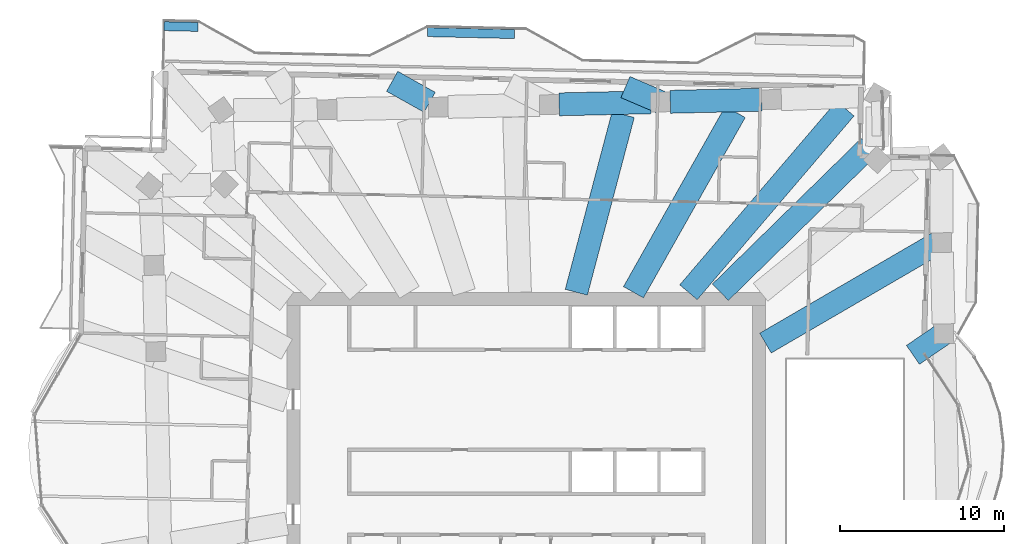
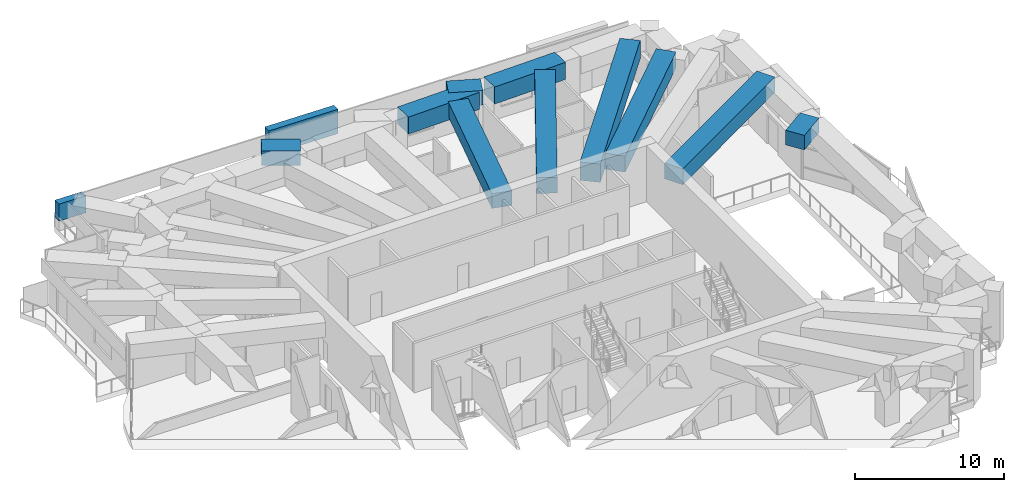
# One storey, part 6 of 19: 10 beams, 2 members.
"""IFC4 building model written with IfcOpenShell, lengths in metres."""

from ifc_helpers import new_model, si_unit, direction, frame, origin, origin_2d, place, context, subcontext, project, spatial, rectangle, extrude, material, material_profile, profile_set, type_object, element, save


model = new_model("IFC4")

# Units and contexts
model_context = context("Model", 3, precision=1e-05, world=origin(), true_north=direction((0.0, 1.0)))
body_context = subcontext(model_context, "Body", "Model", "MODEL_VIEW")
ifc_project = project(units=[si_unit("LENGTHUNIT", "METRE"), si_unit("AREAUNIT", "SQUARE_METRE"), si_unit("VOLUMEUNIT", "CUBIC_METRE"), si_unit("PLANEANGLEUNIT", "RADIAN"), si_unit("MASSUNIT", "GRAM", prefix="KILO")], contexts=[model_context])

# Site, building, storey
site_placement = place(None, origin())
site = spatial("IfcSite", under=ifc_project, at=site_placement, CompositionType="ELEMENT")
building_placement = place(site_placement, origin())
building = spatial("IfcBuilding", under=site, at=building_placement, Name="Mangrove Gate Tower", CompositionType="ELEMENT")
storey_placement = place(building_placement, frame((0.0, 0.0, 193.300048828125)))
storey = spatial("IfcBuildingStorey", under=building, at=storey_placement, Name="L49", CompositionType="ELEMENT", Elevation=193.300048828125)

# Members
ifc_material_1 = material(Name="Planting on aluminium trellis", Category="aluminium")
ifc_material_profile_1 = material_profile(ifc_material_1, rectangle(XDim=0.550048828125, YDim=1.39990234375, at=origin_2d()))
ifc_profile_set_1 = profile_set([ifc_material_profile_1], Name="Planting on aluminium trellis")
member_type_1 = type_object("IfcMemberType", Name="Balcony greenery screen 550x1400", PredefinedType="USERDEFINED", material=ifc_profile_set_1)
member_1_placement = place(storey_placement, frame((-22.0830078125, 27.8359375, 1.5), z_axis=(0.999744201853, -0.022617048045, 0.0), x_axis=(0.022617048045, 0.999744201853, 0.0)))
element("IfcMember", 1, at=member_1_placement, inside=storey, type_object=member_type_1, Name="GREEN SCREEN L49 N1.1", ObjectType="PLANTING", PredefinedType="USERDEFINED", context=body_context, shape_type="SweptSolid", body=[
    extrude(rectangle(XDim=0.550048828125, YDim=1.39990234375, at=origin_2d()), origin(), (0.0, 0.0, 1.0), 2.072509765625),
])
ifc_material_2 = material(Name="Planting on aluminium trellis", Category="aluminium")
ifc_material_profile_2 = material_profile(ifc_material_2, rectangle(XDim=0.550048828125, YDim=2.0, at=origin_2d()))
ifc_profile_set_2 = profile_set([ifc_material_profile_2], Name="Planting on aluminium trellis")
member_type_2 = type_object("IfcMemberType", Name="Balcony greenery screen 550x2000", PredefinedType="USERDEFINED", material=ifc_profile_set_2)
member_2_placement = place(storey_placement, frame((-6.014892578125, 27.471923828125, 1.800048828125), z_axis=(0.999744208111, -0.022616771387, 0.0), x_axis=(0.022616771387, 0.999744208111, 0.0)))
element("IfcMember", 2, at=member_2_placement, inside=storey, type_object=member_type_2, Name="GREEN SCREEN L49 N1.2", ObjectType="PLANTING", PredefinedType="USERDEFINED", context=body_context, shape_type="SweptSolid", body=[
    extrude(rectangle(XDim=0.550048828125, YDim=2.0, at=origin_2d()), origin(), (0.0, 0.0, 1.0), 5.30029296875),
])

# Beams
ifc_material_3 = material(Name="Concrete C60/75", Category="concrete")
ifc_material_profile_3 = material_profile(ifc_material_3, rectangle(XDim=1.39990234375, YDim=1.199951171875, at=origin_2d()))
ifc_profile_set_3 = profile_set([ifc_material_profile_3], Name="Concrete C60/75")
beam_type_1 = type_object("IfcBeamType", Name="Transfer girder RC 1400x1200 C60/75", PredefinedType="BEAM", material=ifc_profile_set_3)
beam_1_placement = place(storey_placement, frame((25.478271484375, 9.0693359375, 3.449951171875), z_axis=(-0.824694591892, -0.565578314741, 0.0), x_axis=(0.565578314741, -0.824694591892, 0.0)))
element("IfcBeam", 3, at=beam_1_placement, inside=storey, type_object=beam_type_1, Name="Transfer edge girder L49 15", PredefinedType="BEAM", context=body_context, shape_type="SweptSolid", body=[
    extrude(rectangle(XDim=1.39990234375, YDim=1.199951171875, at=origin_2d()), origin(), (0.0, 0.0, 1.0), 2.279296875),
])
beam_2_placement = place(storey_placement, frame((3.060791015625, 11.60009765625, 3.449951171875), z_axis=(0.25512768677, 0.966907370664, 0.0), x_axis=(-0.966907370664, 0.25512768677, 0.0)))
element("IfcBeam", 4, at=beam_2_placement, inside=storey, type_object=beam_type_1, Name="Transfer girder L49 21", PredefinedType="BEAM", context=body_context, shape_type="SweptSolid", body=[
    extrude(rectangle(XDim=1.39990234375, YDim=1.199951171875, at=origin_2d()), origin(), (0.0, 0.0, 1.0), 11.21337890625),
])
beam_3_placement = place(storey_placement, frame((8.192626953125, 23.205078125, 3.449951171875), z_axis=(-0.919324332383, 0.393500663135, 0.0), x_axis=(-0.393500663135, -0.919324332383, 0.0)))
element("IfcBeam", 5, at=beam_3_placement, inside=storey, type_object=beam_type_1, Name="Transfer edge girder L49 21", PredefinedType="BEAM", context=body_context, shape_type="SweptSolid", body=[
    extrude(rectangle(XDim=1.39990234375, YDim=1.199951171875, at=origin_2d()), origin(), (0.0, 0.0, 1.0), 2.322998046875),
])
beam_4_placement = place(storey_placement, frame((-5.884033203125, 23.188720703125, 3.449951171875), z_axis=(-0.872466339411, 0.488674213146, 0.0), x_axis=(-0.488674213146, -0.872466339411, 0.0)))
element("IfcBeam", 6, at=beam_4_placement, inside=storey, type_object=beam_type_1, Name="Transfer edge girder L49 23", PredefinedType="BEAM", context=body_context, shape_type="SweptSolid", body=[
    extrude(rectangle(XDim=1.39990234375, YDim=1.199951171875, at=origin_2d()), origin(), (0.0, 0.0, 1.0), 2.623291015625),
])
ifc_material_4 = material(Name="Concrete C60/75", Category="concrete")
ifc_material_profile_4 = material_profile(ifc_material_4, rectangle(XDim=1.39990234375, YDim=1.300048828125, at=origin_2d()))
ifc_profile_set_4 = profile_set([ifc_material_profile_4], Name="Concrete C60/75")
beam_type_2 = type_object("IfcBeamType", Name="Transfer girder RC 1400x1300 C60/75", PredefinedType="BEAM", material=ifc_profile_set_4)
beam_5_placement = place(storey_placement, frame((14.60009765625, 8.498291015625, 3.39990234375), z_axis=(0.864245483683, 0.503070317087, 0.0), x_axis=(-0.503070317087, 0.864245483683, 0.0)))
element("IfcBeam", 7, at=beam_5_placement, inside=storey, type_object=beam_type_2, Name="Transfer girder L49 16", PredefinedType="BEAM", context=body_context, shape_type="SweptSolid", body=[
    extrude(rectangle(XDim=1.39990234375, YDim=1.300048828125, at=origin_2d()), origin(), (0.0, 0.0, 1.0), 12.439697265625),
])
beam_6_placement = place(storey_placement, frame((11.85009765625, 11.60009765625, 3.39990234375), z_axis=(0.714603409388, 0.699529818729, 0.0), x_axis=(-0.699529818729, 0.714603409388, 0.0)))
element("IfcBeam", 8, at=beam_6_placement, inside=storey, type_object=beam_type_2, Name="Transfer girder L49 18", PredefinedType="BEAM", context=body_context, shape_type="SweptSolid", body=[
    extrude(rectangle(XDim=1.39990234375, YDim=1.300048828125, at=origin_2d()), origin(), (0.0, 0.0, 1.0), 12.71435546875),
])
beam_7_placement = place(storey_placement, frame((6.547119140625, 11.60009765625, 3.39990234375), z_axis=(0.491522995656, 0.870864596101, 0.0), x_axis=(-0.870864596101, 0.491522995656, 0.0)))
element("IfcBeam", 9, at=beam_7_placement, inside=storey, type_object=beam_type_2, Name="Transfer girder L49 20", PredefinedType="BEAM", context=body_context, shape_type="SweptSolid", body=[
    extrude(rectangle(XDim=1.39990234375, YDim=1.300048828125, at=origin_2d()), origin(), (0.0, 0.0, 1.0), 12.635498046875),
])
ifc_material_5 = material(Name="Concrete C60/75", Category="concrete")
ifc_material_profile_5 = material_profile(ifc_material_5, rectangle(XDim=1.39990234375, YDim=1.39990234375, at=origin_2d()))
ifc_profile_set_5 = profile_set([ifc_material_profile_5], Name="Concrete C60/75")
beam_type_3 = type_object("IfcBeamType", Name="Transfer girder RC 1400x1400 C60/75", PredefinedType="BEAM", material=ifc_profile_set_5)
for number, where, z_axis, x_axis, name in (
    (10, (14.370849609375, 23.345458984375, 3.349853515625), (-0.999742129115, -0.022708484617, 0.0), (0.022708484617, -0.999742129115, 0.0), "Transfer ring girder L49 20"),
    (11, (7.5927734375, 23.19140625, 3.349853515625), (-0.999742129115, -0.022708484617, 0.0), (0.022708484617, -0.999742129115, 0.0), "Transfer ring girder L49 21"),
):
    element("IfcBeam", number, at=place(storey_placement, frame(where, z_axis=z_axis, x_axis=x_axis)), inside=storey, type_object=beam_type_3, Name=name, PredefinedType="BEAM", context=body_context, shape_type="SweptSolid", body=[
        extrude(rectangle(XDim=1.39990234375, YDim=1.39990234375, at=origin_2d()), origin(), (0.0, 0.0, 1.0), 5.579833984375),
    ])
ifc_material_6 = material(Name="Concrete C60/75", Category="concrete")
ifc_material_profile_6 = material_profile(ifc_material_6, rectangle(XDim=1.39990234375, YDim=1.5, at=origin_2d()))
ifc_profile_set_6 = profile_set([ifc_material_profile_6], Name="Concrete C60/75")
beam_type_4 = type_object("IfcBeamType", Name="Transfer girder RC 1400x1500 C60/75", PredefinedType="BEAM", material=ifc_profile_set_6)
beam_8_placement = place(storey_placement, frame((9.90283203125, 11.60009765625, 3.300048828125), z_axis=(0.649284344124, 0.760545751731, 0.0), x_axis=(-0.760545751731, 0.649284344124, 0.0)))
element("IfcBeam", 12, at=beam_8_placement, inside=storey, type_object=beam_type_4, Name="Transfer girder L49 19", PredefinedType="BEAM", context=body_context, shape_type="SweptSolid", body=[
    extrude(rectangle(XDim=1.39990234375, YDim=1.5, at=origin_2d()), origin(), (0.0, 0.0, 1.0), 14.7412109375),
])

save(model, "model.ifc")
